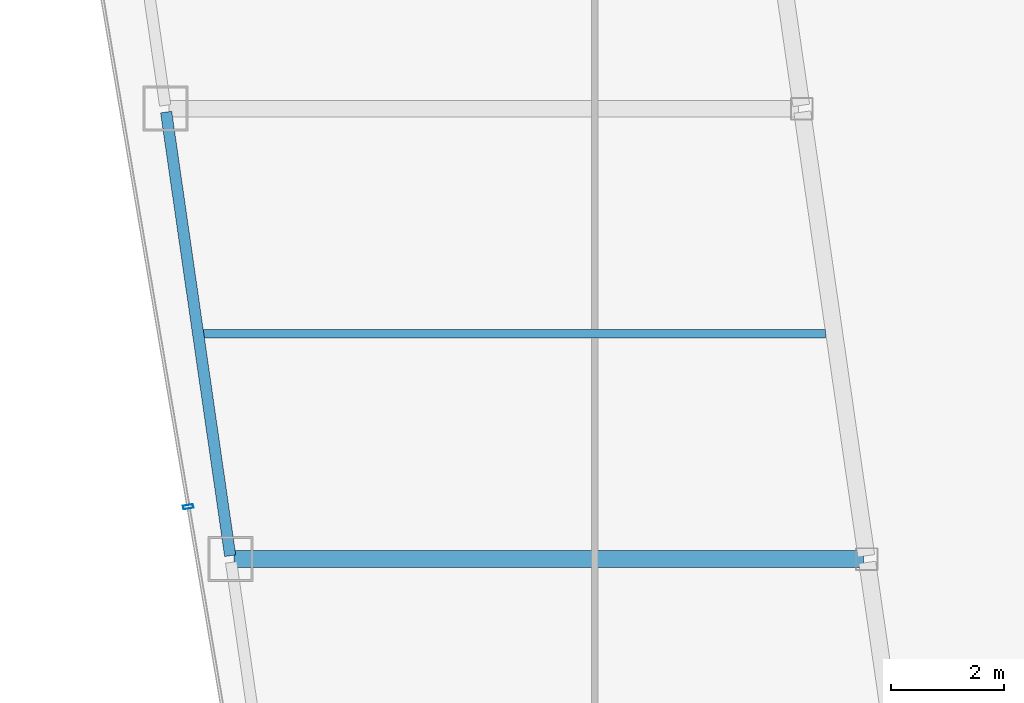
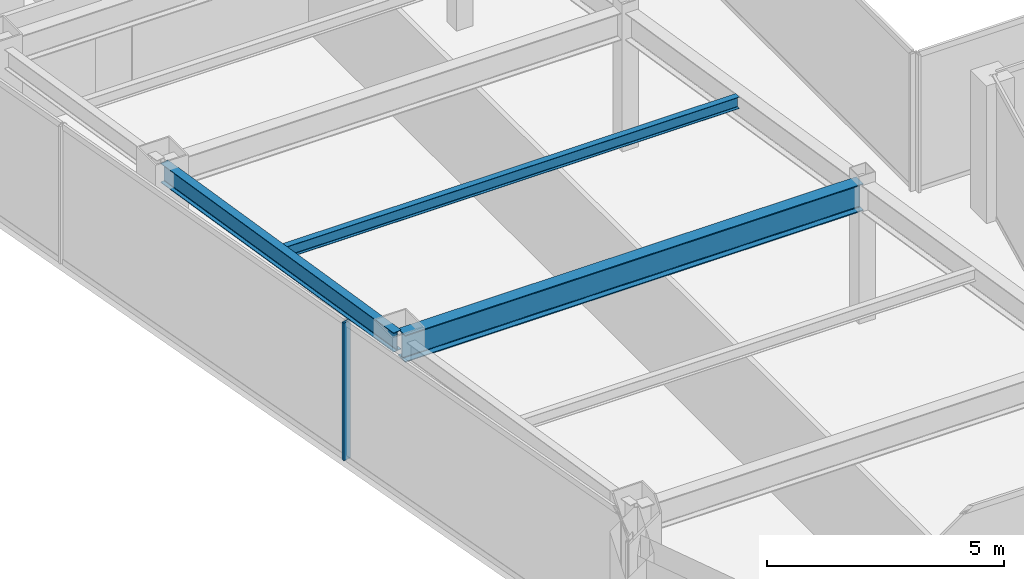
# One storey, part 5 of 35: 3 beams, 1 member, 1 element without a shape of its own.
"""IFC4 building model written with IfcOpenShell, lengths in metres."""

from ifc_helpers import new_model, si_unit, direction, frame, origin, origin_2d, place, context, subcontext, project, spatial, hollow_rectangle, i_section, extrude, material, material_profile, profile_set, type_object, element, aggregate, save


model = new_model("IFC4")

# Units and contexts
model_context = context("Model", 3, precision=1e-05, world=origin(), true_north=direction((0.0, 1.0)))
body_context = subcontext(model_context, "Body", "Model", "MODEL_VIEW")
ifc_project = project(units=[si_unit("LENGTHUNIT", "METRE"), si_unit("AREAUNIT", "SQUARE_METRE"), si_unit("VOLUMEUNIT", "CUBIC_METRE"), si_unit("PLANEANGLEUNIT", "RADIAN"), si_unit("MASSUNIT", "GRAM", prefix="KILO")], contexts=[model_context])

# Site, building, storey
site_placement = place(None, origin())
site = spatial("IfcSite", under=ifc_project, at=site_placement, CompositionType="ELEMENT")
building_placement = place(site_placement, origin())
building = spatial("IfcBuilding", under=site, at=building_placement, Name="Saevonmaru Cultural Tower", CompositionType="ELEMENT")
storey_placement = place(building_placement, frame((0.0, 0.0, 217.0)))
storey = spatial("IfcBuildingStorey", under=building, at=storey_placement, Name="L50", CompositionType="ELEMENT", Elevation=217.0)

# Beams
ifc_material_1 = material(Name="Steel SM355", Category="steel")
ifc_material_profile_1 = material_profile(ifc_material_1, i_section(OverallWidth=0.300048828125, OverallDepth=0.699951171875, WebThickness=0.012939453125, FlangeThickness=0.02392578125, FilletRadius=0.02587890625, at=origin_2d()), Name="H-700x300x13x24")
ifc_profile_set_1 = profile_set([ifc_material_profile_1], Name="Steel SM355")
beam_type_1 = type_object("IfcBeamType", Name="BM-G-H700", PredefinedType="BEAM", material=ifc_profile_set_1)
beam_1_placement = place(storey_placement, frame((9.531982421875, 24.0, 3.199951171875), z_axis=(1.0, 0.0, 0.0), x_axis=(0.0, 1.0, 0.0)))
element("IfcBeam", 1, at=beam_1_placement, inside=storey, type_object=beam_type_1, Name="L50 West Wing Transverse Girder 2", PredefinedType="BEAM", context=body_context, shape_type="SweptSolid", body=[
    extrude(i_section(OverallWidth=0.300048828125, OverallDepth=0.699951171875, WebThickness=0.012939453125, FlangeThickness=0.02392578125, FilletRadius=0.02587890625, at=origin_2d()), origin(), (0.0, 0.0, 1.0), 11.179931640625),
])
ifc_material_profile_2 = material_profile(ifc_material_1, i_section(OverallWidth=0.14990234375, OverallDepth=0.300048828125, WebThickness=0.006591796875, FlangeThickness=0.009033203125, FilletRadius=0.012939453125, at=origin_2d()), Name="H-300x150x6.5x9")
ifc_profile_set_2 = profile_set([ifc_material_profile_2], Name="Steel SM355")
beam_type_2 = type_object("IfcBeamType", Name="BM-J-H300", PredefinedType="JOIST", material=ifc_profile_set_2)
beam_2_placement = place(storey_placement, frame((8.95458984375, 28.0, 3.39990234375), z_axis=(1.0, 0.0, 0.0), x_axis=(0.0, 1.0, 0.0)))
element("IfcBeam", 2, at=beam_2_placement, inside=storey, type_object=beam_type_2, Name="L50 West Wing Floor Joist 2", PredefinedType="JOIST", context=body_context, shape_type="SweptSolid", body=[
    extrude(i_section(OverallWidth=0.14990234375, OverallDepth=0.300048828125, WebThickness=0.006591796875, FlangeThickness=0.009033203125, FilletRadius=0.012939453125, at=origin_2d()), origin(), (0.0, 0.0, 1.0), 11.08203125),
])
ifc_material_profile_3 = material_profile(ifc_material_1, i_section(OverallWidth=0.199951171875, OverallDepth=0.5, WebThickness=0.010009765625, FlangeThickness=0.01611328125, FilletRadius=0.02001953125, at=origin_2d()), Name="H-500x200x10x16")
ifc_profile_set_3 = profile_set([ifc_material_profile_3], Name="Steel SM355")
beam_type_3 = type_object("IfcBeamType", Name="BM-SP-H500", PredefinedType="SPANDREL", material=ifc_profile_set_3)
beam_3_placement = place(storey_placement, frame((9.46337890625, 24.059326171875, 3.300048828125), z_axis=(-0.142871999001, 0.989741174197, 0.0), x_axis=(-0.989741174197, -0.142871999001, 0.0)))
element("IfcBeam", 3, at=beam_3_placement, inside=storey, type_object=beam_type_3, Name="L50 West Splayed Spandrel 2", PredefinedType="SPANDREL", context=body_context, shape_type="SweptSolid", body=[
    extrude(i_section(OverallWidth=0.199951171875, OverallDepth=0.5, WebThickness=0.010009765625, FlangeThickness=0.01611328125, FilletRadius=0.02001953125, at=origin_2d()), origin(), (0.0, 0.0, 1.0), 7.963134765625),
])

# Curtain wall, member
ifc_material_2 = material(Name="Satin Bronze Anodised Aluminium", Category="aluminium")
curtain_wall_type = type_object("IfcCurtainWallType", Name="CW-TYP-B", PredefinedType="NOTDEFINED", material=ifc_material_2)
curtain_wall_placement = place(storey_placement, origin())
curtain_wall = element("IfcCurtainWall", 4, at=curtain_wall_placement, inside=storey, type_object=curtain_wall_type, Name="L50 Unitised Curtain Wall E12", PredefinedType="NOTDEFINED")
ifc_material_profile_4 = material_profile(ifc_material_2, hollow_rectangle(XDim=0.06494140625, YDim=0.179931640625, WallThickness=0.00390625, at=origin_2d()), Name="ALU-MULL-180x65x4")
ifc_profile_set_4 = profile_set([ifc_material_profile_4], Name="Satin Bronze Anodised Aluminium")
member_type = type_object("IfcMemberType", Name="ML-CW-180x65", PredefinedType="MULLION", material=ifc_profile_set_4)
member_placement = place(storey_placement, frame((8.71826171875, 24.9296875, 0.0), z_axis=(0.0, 0.0, 1.0), x_axis=(0.16692169721, -0.985970155228, 0.0)))
member = element("IfcMember", 5, at=member_placement, type_object=member_type, Name="CW-TW-L50-E12 mullion 4", PredefinedType="MULLION", context=body_context, shape_type="SweptSolid", body=[
    extrude(hollow_rectangle(XDim=0.06494140625, YDim=0.179931640625, WallThickness=0.00390625, at=origin_2d()), origin(), (0.0, 0.0, 1.0), 3.550048828125),
])
aggregate(curtain_wall, [member])

save(model, "model.ifc")
